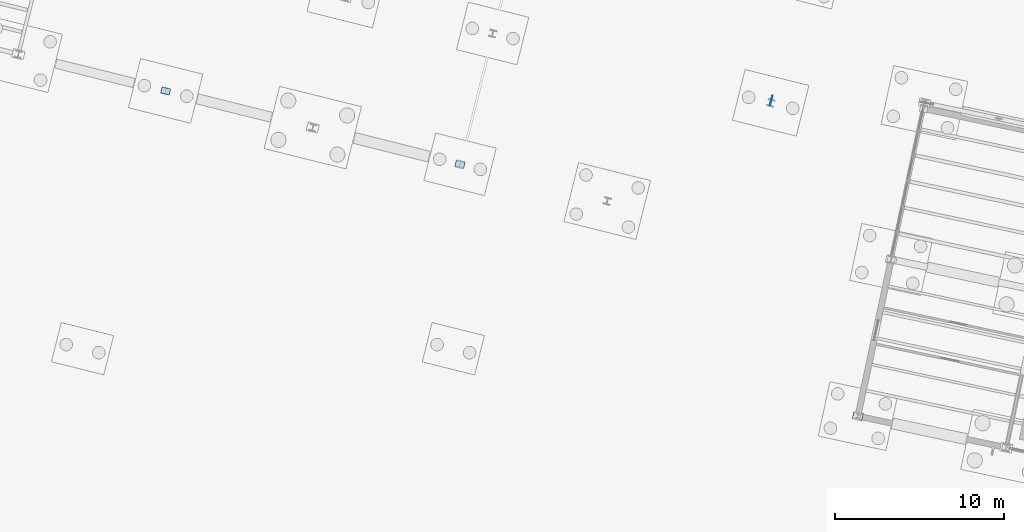
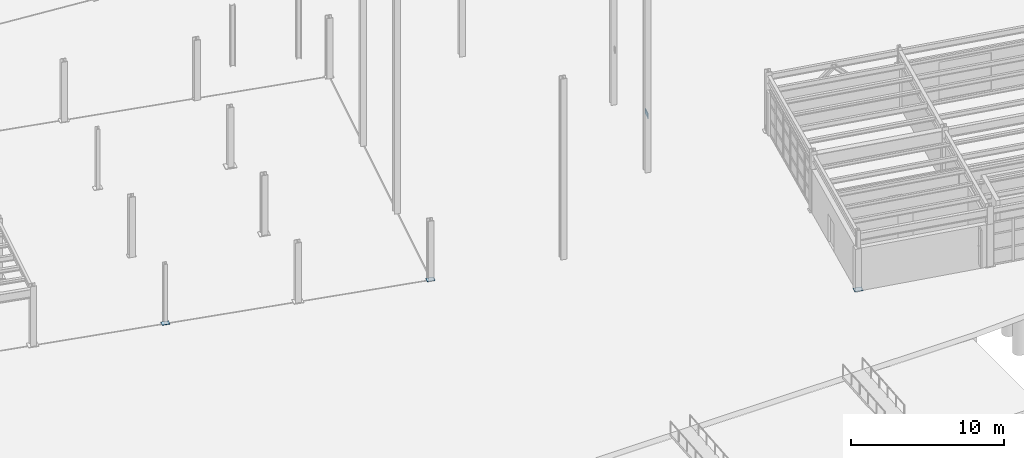
# One storey, part 74 of 108: 4 plates.
"""IFC4 building model written with IfcOpenShell, lengths in metres."""

from ifc_helpers import new_model, si_unit, direction, frame, origin, origin_2d, place, context, subcontext, project, spatial, rectangle, extrude, material, layer, layer_set, type_object, element, save


model = new_model("IFC4")

# Units and contexts
model_context = context("Model", 3, precision=1e-05, world=origin(), true_north=direction((0.0, 1.0)))
body_context = subcontext(model_context, "Body", "Model", "MODEL_VIEW")
ifc_project = project(units=[si_unit("LENGTHUNIT", "METRE"), si_unit("AREAUNIT", "SQUARE_METRE"), si_unit("VOLUMEUNIT", "CUBIC_METRE"), si_unit("PLANEANGLEUNIT", "RADIAN"), si_unit("MASSUNIT", "GRAM", prefix="KILO")], contexts=[model_context])

# Site, building, storey
site_placement = place(None, origin())
site = spatial("IfcSite", under=ifc_project, at=site_placement, CompositionType="ELEMENT")
building_placement = place(site_placement, origin())
building = spatial("IfcBuilding", under=site, at=building_placement, Name="Vireo Bluff Cable Station", CompositionType="ELEMENT")
storey_placement = place(building_placement, origin())
storey = spatial("IfcBuildingStorey", under=building, at=storey_placement, Name="L00", CompositionType="ELEMENT", Elevation=0.0)

# Plates
ifc_material = material(Name="Steel ASTM A572 Gr. 50", Category="steel")
ifc_layer_1 = layer(ifc_material, 0.028076171875, Name="Steel ASTM A572 Gr. 50")
ifc_layer_set_1 = layer_set([ifc_layer_1], Name="Steel ASTM A572 Gr. 50")
plate_type_1 = type_object("IfcPlateType", Name="BASEPLATE-520X380X28", PredefinedType="SHEET", material=ifc_layer_set_1)
plate_1_placement = place(storey_placement, frame((88.9306640625, 29.290771484375, 0.0), z_axis=(0.0, 0.0, 1.0), x_axis=(0.970295726276, -0.2419218956, 0.0)))
element("IfcPlate", 1, at=plate_1_placement, inside=storey, type_object=plate_type_1, Name="V1 column baseplate 17", PredefinedType="SHEET", context=body_context, shape_type="SweptSolid", body=[
    extrude(rectangle(XDim=0.52001953125, YDim=0.3798828125, at=origin_2d()), origin(), (0.0, 0.0, 1.0), 0.028076171875),
])
ifc_layer_2 = layer(ifc_material, 0.030029296875, Name="Steel ASTM A572 Gr. 50")
ifc_layer_set_2 = layer_set([ifc_layer_2], Name="Steel ASTM A572 Gr. 50")
plate_type_2 = type_object("IfcPlateType", Name="BASEPLATE-540X390X30", PredefinedType="SHEET", material=ifc_layer_set_2)
plate_2_placement = place(storey_placement, frame((106.39599609375, 24.936279296875, 0.0), z_axis=(0.0, 0.0, 1.0), x_axis=(0.970295726276, -0.2419218956, 0.0)))
element("IfcPlate", 2, at=plate_2_placement, inside=storey, type_object=plate_type_2, Name="V1 column baseplate 25", PredefinedType="SHEET", context=body_context, shape_type="SweptSolid", body=[
    extrude(rectangle(XDim=0.5400390625, YDim=0.389892578125, at=origin_2d()), origin(), (0.0, 0.0, 1.0), 0.030029296875),
])
ifc_layer_3 = layer(ifc_material, 0.033935546875, Name="Steel ASTM A572 Gr. 50")
ifc_layer_set_3 = layer_set([ifc_layer_3], Name="Steel ASTM A572 Gr. 50")
plate_type_3 = type_object("IfcPlateType", Name="BASEPLATE-580X420X34", PredefinedType="SHEET", material=ifc_layer_set_3)
plate_3_placement = place(storey_placement, frame((130.0, 10.0, 0.0), z_axis=(0.0, 0.0, 1.0), x_axis=(0.978147600734, -0.207911690818, 0.0)))
element("IfcPlate", 3, at=plate_3_placement, inside=storey, type_object=plate_type_3, Name="V5E column baseplate 266", PredefinedType="SHEET", context=body_context, shape_type="SweptSolid", body=[
    extrude(rectangle(XDim=0.580078125, YDim=0.419921875, at=origin_2d()), origin(), (0.0, 0.0, 1.0), 0.033935546875),
])
ifc_layer_4 = layer(ifc_material, 0.02490234375, Name="Steel ASTM A572 Gr. 50")
ifc_layer_set_4 = layer_set([ifc_layer_4], Name="Steel ASTM A572 Gr. 50")
plate_type_4 = type_object("IfcPlateType", Name="GUSSET-620X420X25", PredefinedType="USERDEFINED", material=ifc_layer_set_4)
plate_4_placement = place(storey_placement, frame((124.85546875, 28.702392578125, 4.2900390625), z_axis=(0.0, 0.0, 1.0), x_axis=(0.970295726276, -0.2419218956, 0.0)))
element("IfcPlate", 4, at=plate_4_placement, inside=storey, type_object=plate_type_4, Name="Launch pylon brace end gusset 1", ObjectType="GUSSET PLATE", PredefinedType="USERDEFINED", context=body_context, shape_type="SweptSolid", body=[
    extrude(rectangle(XDim=0.02490234375, YDim=0.6201171875, at=origin_2d()), origin(), (0.0, 0.0, 1.0), 0.419921875),
])

save(model, "model.ifc")
